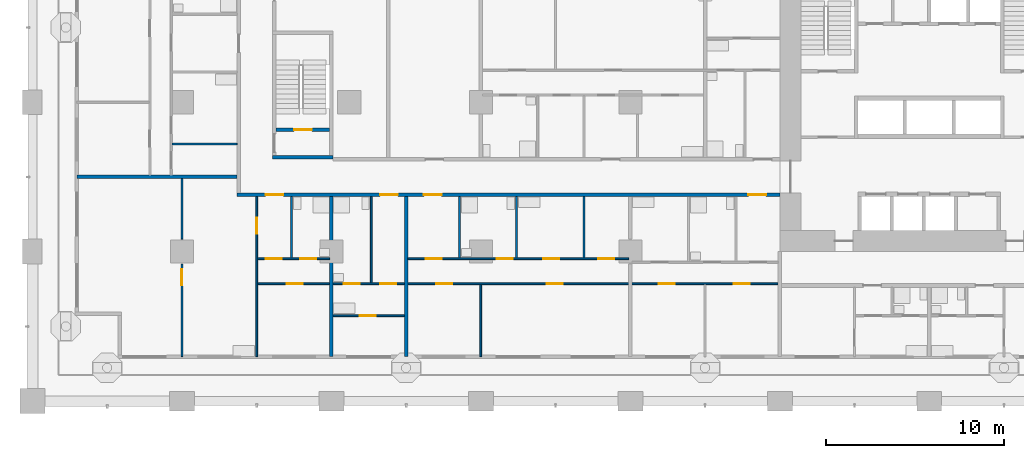
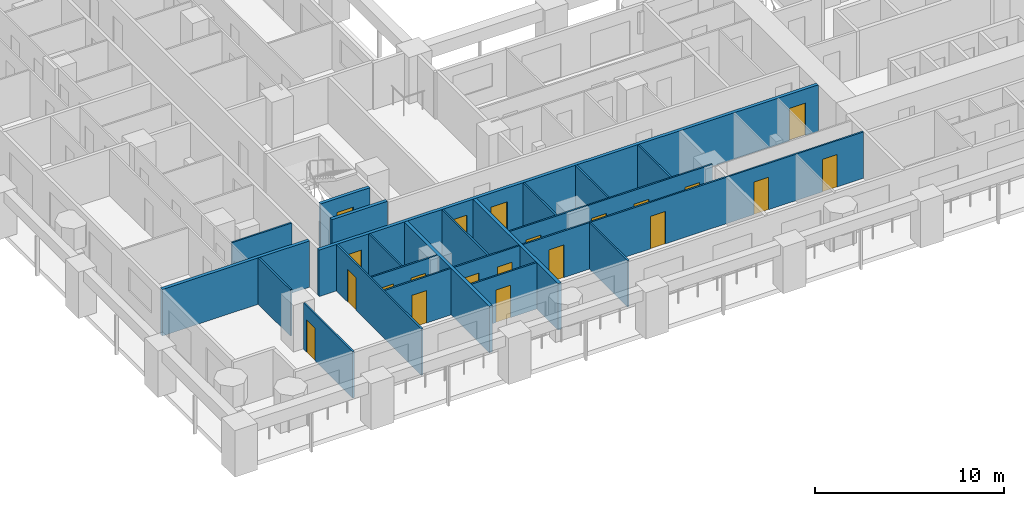
# One storey, part 2 of 21: 21 doors, 20 walls, 21 openings.
"""IFC4 building model written with IfcOpenShell, lengths in metres."""

from ifc_helpers import new_model, si_unit, direction, frame, frame_2d, origin, place, context, subcontext, project, spatial, rectangle, extrude, material, layer, layer_set, type_object, element, fill, save


model = new_model("IFC4")

# Units and contexts
model_context = context("Model", 3, precision=1e-05, world=origin(), true_north=direction((0.0, 1.0)))
body_context = subcontext(model_context, "Body", "Model", "MODEL_VIEW")
ifc_project = project(units=[si_unit("LENGTHUNIT", "METRE"), si_unit("AREAUNIT", "SQUARE_METRE"), si_unit("VOLUMEUNIT", "CUBIC_METRE"), si_unit("PLANEANGLEUNIT", "RADIAN"), si_unit("MASSUNIT", "GRAM", prefix="KILO")], contexts=[model_context])

# Site, building, storey
site_placement = place(None, origin())
site = spatial("IfcSite", under=ifc_project, at=site_placement, CompositionType="ELEMENT")
building_placement = place(site_placement, origin())
building = spatial("IfcBuilding", under=site, at=building_placement, Name="Vermilion Gate Residences", CompositionType="ELEMENT")
storey_placement = place(building_placement, frame((0.0, 0.0, 70.699951171875)))
storey = spatial("IfcBuildingStorey", under=building, at=storey_placement, Name="L17", CompositionType="ELEMENT", Elevation=70.699951171875)

# Wall, opening, door
ifc_material_1 = material(Name="Plasterboard on steel studs", Category="steel")
ifc_layer_1 = layer(ifc_material_1, 0.10009765625)
ifc_layer_set_1 = layer_set([ifc_layer_1], Name="PARTITION 100")
wall_type_1 = type_object("IfcWallType", Name="PARTITION 100", PredefinedType="PARTITIONING", material=ifc_layer_set_1)
wall_1_placement = place(storey_placement, frame((16.89990234375, 4.800048828125, 0.0), z_axis=(0.0, 0.0, 1.0), x_axis=(1.0, 0.0, 0.0)))
wall_1 = element("IfcWall", 1, at=wall_1_placement, inside=storey, type_object=wall_type_1, Name="Partition", PredefinedType="PARTITIONING", context=body_context, shape_type="SweptSolid", body=[
    extrude(rectangle(XDim=4.0, YDim=0.10009765625, at=frame_2d((2.0, 0.0))), origin(), (0.0, 0.0, 1.0), 3.0),
])
opening_1_placement = place(wall_1_placement, frame((1.5, 0.0, 0.0)))
opening_1 = element("IfcOpeningElement", 2, at=opening_1_placement, cuts=wall_1, Name="Opening DA16001", PredefinedType="OPENING", context=body_context, shape_type="SweptSolid", body=[
    extrude(rectangle(XDim=0.89990234375, YDim=2.10009765625, at=frame_2d((0.449951171875, 1.050048828125))), frame((0.0, 0.06005859375, 0.0), z_axis=(0.0, -1.0, 0.0), x_axis=(1.0, 0.0, 0.0)), (0.0, 0.0, 1.0), 0.1201171875),
])
ifc_material_2 = material(Name="Timber", Category="wood")
door_type_1 = type_object("IfcDoorType", Name="INTERIOR DOOR 900 X 2100", OperationType="SINGLE_SWING_LEFT", PredefinedType="DOOR", material=ifc_material_2)
door_1_placement = place(opening_1_placement, origin())
door_1 = element("IfcDoor", 3, at=door_1_placement, inside=storey, type_object=door_type_1, Name="Interior door", OperationType="SINGLE_SWING_LEFT", OverallHeight=2.10009765625, OverallWidth=0.89990234375, PredefinedType="DOOR", context=body_context, shape_type="SweptSolid", body=[
    extrude(rectangle(XDim=0.89990234375, YDim=2.10009765625, at=frame_2d((0.449951171875, 1.050048828125))), frame((0.0, 0.02490234375, 0.0), z_axis=(0.0, -1.0, 0.0), x_axis=(1.0, 0.0, 0.0)), (0.0, 0.0, 1.0), 0.050048828125),
])
fill(opening_1, door_1)

# Wall, openings, doors
wall_2_placement = place(storey_placement, frame((12.64990234375, 6.60009765625, 0.0), z_axis=(0.0, 0.0, 1.0), x_axis=(1.0, 0.0, 0.0)))
wall_2 = element("IfcWall", 4, at=wall_2_placement, inside=storey, type_object=wall_type_1, Name="Partition", PredefinedType="PARTITIONING", context=body_context, shape_type="SweptSolid", body=[
    extrude(rectangle(XDim=29.25, YDim=0.10009765625, at=frame_2d((14.625, 0.0))), origin(), (0.0, 0.0, 1.0), 3.0),
])
opening_2_placement = place(wall_2_placement, frame((1.64990234375, 0.0, 0.0)))
opening_2 = element("IfcOpeningElement", 5, at=opening_2_placement, cuts=wall_2, Name="Opening DA16009", PredefinedType="OPENING", context=body_context, shape_type="SweptSolid", body=[
    extrude(rectangle(XDim=0.89990234375, YDim=2.10009765625, at=frame_2d((0.449951171875, 1.050048828125))), frame((0.0, 0.06005859375, 0.0), z_axis=(0.0, -1.0, 0.0), x_axis=(1.0, 0.0, 0.0)), (0.0, 0.0, 1.0), 0.1201171875),
])
opening_3_placement = place(wall_2_placement, frame((6.889892578125, 0.0, 0.0)))
opening_3 = element("IfcOpeningElement", 6, at=opening_3_placement, cuts=wall_2, Name="Opening DA16010", PredefinedType="OPENING", context=body_context, shape_type="SweptSolid", body=[
    extrude(rectangle(XDim=0.89990234375, YDim=2.10009765625, at=frame_2d((0.449951171875, 1.050048828125))), frame((0.0, 0.06005859375, 0.0), z_axis=(0.0, -1.0, 0.0), x_axis=(1.0, 0.0, 0.0)), (0.0, 0.0, 1.0), 0.1201171875),
])
opening_4_placement = place(wall_2_placement, frame((4.85009765625, 0.0, 0.0)))
opening_4 = element("IfcOpeningElement", 7, at=opening_4_placement, cuts=wall_2, Name="Opening DA16011", PredefinedType="OPENING", context=body_context, shape_type="SweptSolid", body=[
    extrude(rectangle(XDim=0.89990234375, YDim=2.10009765625, at=frame_2d((0.449951171875, 1.050048828125))), frame((0.0, 0.06005859375, 0.0), z_axis=(0.0, -1.0, 0.0), x_axis=(1.0, 0.0, 0.0)), (0.0, 0.0, 1.0), 0.1201171875),
])
opening_5_placement = place(wall_2_placement, frame((10.050048828125, 0.0, 0.0)))
opening_5 = element("IfcOpeningElement", 8, at=opening_5_placement, cuts=wall_2, Name="Opening DA16012", PredefinedType="OPENING", context=body_context, shape_type="SweptSolid", body=[
    extrude(rectangle(XDim=0.89990234375, YDim=2.10009765625, at=frame_2d((0.449951171875, 1.050048828125))), frame((0.0, 0.06005859375, 0.0), z_axis=(0.0, -1.0, 0.0), x_axis=(1.0, 0.0, 0.0)), (0.0, 0.0, 1.0), 0.1201171875),
])
opening_6_placement = place(wall_2_placement, frame((16.25, 0.0, 0.0)))
opening_6 = element("IfcOpeningElement", 9, at=opening_6_placement, cuts=wall_2, Name="Opening DA16013", PredefinedType="OPENING", context=body_context, shape_type="SweptSolid", body=[
    extrude(rectangle(XDim=0.89990234375, YDim=2.10009765625, at=frame_2d((0.449951171875, 1.050048828125))), frame((0.0, 0.06005859375, 0.0), z_axis=(0.0, -1.0, 0.0), x_axis=(1.0, 0.0, 0.0)), (0.0, 0.0, 1.0), 0.1201171875),
])
opening_7_placement = place(wall_2_placement, frame((22.550048828125, 0.0, 0.0)))
opening_7 = element("IfcOpeningElement", 10, at=opening_7_placement, cuts=wall_2, Name="Opening DA16014", PredefinedType="OPENING", context=body_context, shape_type="SweptSolid", body=[
    extrude(rectangle(XDim=0.89990234375, YDim=2.10009765625, at=frame_2d((0.449951171875, 1.050048828125))), frame((0.0, 0.06005859375, 0.0), z_axis=(0.0, -1.0, 0.0), x_axis=(1.0, 0.0, 0.0)), (0.0, 0.0, 1.0), 0.1201171875),
])
opening_8_placement = place(wall_2_placement, frame((26.75, 0.0, 0.0)))
opening_8 = element("IfcOpeningElement", 11, at=opening_8_placement, cuts=wall_2, Name="Opening DA16015", PredefinedType="OPENING", context=body_context, shape_type="SweptSolid", body=[
    extrude(rectangle(XDim=0.89990234375, YDim=2.10009765625, at=frame_2d((0.449951171875, 1.050048828125))), frame((0.0, 0.06005859375, 0.0), z_axis=(0.0, -1.0, 0.0), x_axis=(1.0, 0.0, 0.0)), (0.0, 0.0, 1.0), 0.1201171875),
])
door_2_placement = place(opening_2_placement, frame((0.89990234375, 0.0, 0.0), z_axis=(0.0, 0.0, 1.0), x_axis=(-1.0, 0.0, 0.0)))
door_2 = element("IfcDoor", 12, at=door_2_placement, inside=storey, type_object=door_type_1, Name="Interior door", OperationType="SINGLE_SWING_LEFT", OverallHeight=2.10009765625, OverallWidth=0.89990234375, PredefinedType="DOOR", context=body_context, shape_type="SweptSolid", body=[
    extrude(rectangle(XDim=0.89990234375, YDim=2.10009765625, at=frame_2d((0.449951171875, 1.050048828125))), frame((0.0, 0.02490234375, 0.0), z_axis=(0.0, -1.0, 0.0), x_axis=(1.0, 0.0, 0.0)), (0.0, 0.0, 1.0), 0.050048828125),
])
fill(opening_2, door_2)
door_3_placement = place(opening_3_placement, frame((0.89990234375, 0.0, 0.0), z_axis=(0.0, 0.0, 1.0), x_axis=(-1.0, 0.0, 0.0)))
door_3 = element("IfcDoor", 13, at=door_3_placement, inside=storey, type_object=door_type_1, Name="Interior door", OperationType="SINGLE_SWING_LEFT", OverallHeight=2.10009765625, OverallWidth=0.89990234375, PredefinedType="DOOR", context=body_context, shape_type="SweptSolid", body=[
    extrude(rectangle(XDim=0.89990234375, YDim=2.10009765625, at=frame_2d((0.449951171875, 1.050048828125))), frame((0.0, 0.02490234375, 0.0), z_axis=(0.0, -1.0, 0.0), x_axis=(1.0, 0.0, 0.0)), (0.0, 0.0, 1.0), 0.050048828125),
])
fill(opening_3, door_3)
door_4_placement = place(opening_4_placement, frame((0.89990234375, 0.0, 0.0), z_axis=(0.0, 0.0, 1.0), x_axis=(-1.0, 0.0, 0.0)))
door_4 = element("IfcDoor", 14, at=door_4_placement, inside=storey, type_object=door_type_1, Name="Interior door", OperationType="SINGLE_SWING_RIGHT", OverallHeight=2.10009765625, OverallWidth=0.89990234375, PredefinedType="DOOR", context=body_context, shape_type="SweptSolid", body=[
    extrude(rectangle(XDim=0.89990234375, YDim=2.10009765625, at=frame_2d((0.449951171875, 1.050048828125))), frame((0.0, 0.02490234375, 0.0), z_axis=(0.0, -1.0, 0.0), x_axis=(1.0, 0.0, 0.0)), (0.0, 0.0, 1.0), 0.050048828125),
])
fill(opening_4, door_4)
door_5_placement = place(opening_5_placement, frame((0.89990234375, 0.0, 0.0), z_axis=(0.0, 0.0, 1.0), x_axis=(-1.0, 0.0, 0.0)))
door_5 = element("IfcDoor", 15, at=door_5_placement, inside=storey, type_object=door_type_1, Name="Interior door", OperationType="SINGLE_SWING_LEFT", OverallHeight=2.10009765625, OverallWidth=0.89990234375, PredefinedType="DOOR", context=body_context, shape_type="SweptSolid", body=[
    extrude(rectangle(XDim=0.89990234375, YDim=2.10009765625, at=frame_2d((0.449951171875, 1.050048828125))), frame((0.0, 0.02490234375, 0.0), z_axis=(0.0, -1.0, 0.0), x_axis=(1.0, 0.0, 0.0)), (0.0, 0.0, 1.0), 0.050048828125),
])
fill(opening_5, door_5)
door_6_placement = place(opening_6_placement, frame((0.89990234375, 0.0, 0.0), z_axis=(0.0, 0.0, 1.0), x_axis=(-1.0, 0.0, 0.0)))
door_6 = element("IfcDoor", 16, at=door_6_placement, inside=storey, type_object=door_type_1, Name="Interior door", OperationType="SINGLE_SWING_RIGHT", OverallHeight=2.10009765625, OverallWidth=0.89990234375, PredefinedType="DOOR", context=body_context, shape_type="SweptSolid", body=[
    extrude(rectangle(XDim=0.89990234375, YDim=2.10009765625, at=frame_2d((0.449951171875, 1.050048828125))), frame((0.0, 0.02490234375, 0.0), z_axis=(0.0, -1.0, 0.0), x_axis=(1.0, 0.0, 0.0)), (0.0, 0.0, 1.0), 0.050048828125),
])
fill(opening_6, door_6)
door_7_placement = place(opening_7_placement, frame((0.89990234375, 0.0, 0.0), z_axis=(0.0, 0.0, 1.0), x_axis=(-1.0, 0.0, 0.0)))
door_7 = element("IfcDoor", 17, at=door_7_placement, inside=storey, type_object=door_type_1, Name="Interior door", OperationType="SINGLE_SWING_RIGHT", OverallHeight=2.10009765625, OverallWidth=0.89990234375, PredefinedType="DOOR", context=body_context, shape_type="SweptSolid", body=[
    extrude(rectangle(XDim=0.89990234375, YDim=2.10009765625, at=frame_2d((0.449951171875, 1.050048828125))), frame((0.0, 0.02490234375, 0.0), z_axis=(0.0, -1.0, 0.0), x_axis=(1.0, 0.0, 0.0)), (0.0, 0.0, 1.0), 0.050048828125),
])
fill(opening_7, door_7)
door_8_placement = place(opening_8_placement, frame((0.89990234375, 0.0, 0.0), z_axis=(0.0, 0.0, 1.0), x_axis=(-1.0, 0.0, 0.0)))
door_8 = element("IfcDoor", 18, at=door_8_placement, inside=storey, type_object=door_type_1, Name="Interior door", OperationType="SINGLE_SWING_RIGHT", OverallHeight=2.10009765625, OverallWidth=0.89990234375, PredefinedType="DOOR", context=body_context, shape_type="SweptSolid", body=[
    extrude(rectangle(XDim=0.89990234375, YDim=2.10009765625, at=frame_2d((0.449951171875, 1.050048828125))), frame((0.0, 0.02490234375, 0.0), z_axis=(0.0, -1.0, 0.0), x_axis=(1.0, 0.0, 0.0)), (0.0, 0.0, 1.0), 0.050048828125),
])
fill(opening_8, door_8)

wall_3_placement = place(storey_placement, frame((12.64990234375, 8.0, 0.0), z_axis=(0.0, 0.0, 1.0), x_axis=(1.0, 0.0, 0.0)))
wall_3 = element("IfcWall", 19, at=wall_3_placement, inside=storey, type_object=wall_type_1, Name="Partition", PredefinedType="PARTITIONING", context=body_context, shape_type="SweptSolid", body=[
    extrude(rectangle(XDim=4.050048828125, YDim=0.10009765625, at=frame_2d((2.02490234375, 0.0))), origin(), (0.0, 0.0, 1.0), 3.0),
])
opening_9_placement = place(wall_3_placement, frame((0.449951171875, 0.0, 0.0)))
opening_9 = element("IfcOpeningElement", 20, at=opening_9_placement, cuts=wall_3, Name="Opening DA16019", PredefinedType="OPENING", context=body_context, shape_type="SweptSolid", body=[
    extrude(rectangle(XDim=0.89990234375, YDim=2.10009765625, at=frame_2d((0.449951171875, 1.050048828125))), frame((0.0, 0.06005859375, 0.0), z_axis=(0.0, -1.0, 0.0), x_axis=(1.0, 0.0, 0.0)), (0.0, 0.0, 1.0), 0.1201171875),
])
opening_10_placement = place(wall_3_placement, frame((2.409912109375, 0.0, 0.0)))
opening_10 = element("IfcOpeningElement", 21, at=opening_10_placement, cuts=wall_3, Name="Opening DA16020", PredefinedType="OPENING", context=body_context, shape_type="SweptSolid", body=[
    extrude(rectangle(XDim=0.89990234375, YDim=2.10009765625, at=frame_2d((0.449951171875, 1.050048828125))), frame((0.0, 0.06005859375, 0.0), z_axis=(0.0, -1.0, 0.0), x_axis=(1.0, 0.0, 0.0)), (0.0, 0.0, 1.0), 0.1201171875),
])
door_9_placement = place(opening_9_placement, frame((0.89990234375, 0.0, 0.0), z_axis=(0.0, 0.0, 1.0), x_axis=(-1.0, 0.0, 0.0)))
door_9 = element("IfcDoor", 22, at=door_9_placement, inside=storey, type_object=door_type_1, Name="Interior door", OperationType="SINGLE_SWING_RIGHT", OverallHeight=2.10009765625, OverallWidth=0.89990234375, PredefinedType="DOOR", context=body_context, shape_type="SweptSolid", body=[
    extrude(rectangle(XDim=0.89990234375, YDim=2.10009765625, at=frame_2d((0.449951171875, 1.050048828125))), frame((0.0, 0.02490234375, 0.0), z_axis=(0.0, -1.0, 0.0), x_axis=(1.0, 0.0, 0.0)), (0.0, 0.0, 1.0), 0.050048828125),
])
fill(opening_9, door_9)
door_10_placement = place(opening_10_placement, origin())
door_10 = element("IfcDoor", 23, at=door_10_placement, inside=storey, type_object=door_type_1, Name="Interior door", OperationType="SINGLE_SWING_RIGHT", OverallHeight=2.10009765625, OverallWidth=0.89990234375, PredefinedType="DOOR", context=body_context, shape_type="SweptSolid", body=[
    extrude(rectangle(XDim=0.89990234375, YDim=2.10009765625, at=frame_2d((0.449951171875, 1.050048828125))), frame((0.0, 0.02490234375, 0.0), z_axis=(0.0, -1.0, 0.0), x_axis=(1.0, 0.0, 0.0)), (0.0, 0.0, 1.0), 0.050048828125),
])
fill(opening_10, door_10)

wall_4_placement = place(storey_placement, frame((21.10009765625, 8.0, 0.0), z_axis=(0.0, 0.0, 1.0), x_axis=(1.0, 0.0, 0.0)))
wall_4 = element("IfcWall", 24, at=wall_4_placement, inside=storey, type_object=wall_type_1, Name="Partition", PredefinedType="PARTITIONING", context=body_context, shape_type="SweptSolid", body=[
    extrude(rectangle(XDim=12.39990234375, YDim=0.10009765625, at=frame_2d((6.199951171875, 0.0))), origin(), (0.0, 0.0, 1.0), 3.0),
])
opening_11_placement = place(wall_4_placement, frame((1.0, 0.0, 0.0)))
opening_11 = element("IfcOpeningElement", 25, at=opening_11_placement, cuts=wall_4, Name="Opening DA16021", PredefinedType="OPENING", context=body_context, shape_type="SweptSolid", body=[
    extrude(rectangle(XDim=0.89990234375, YDim=2.10009765625, at=frame_2d((0.449951171875, 1.050048828125))), frame((0.0, 0.06005859375, 0.0), z_axis=(0.0, -1.0, 0.0), x_axis=(1.0, 0.0, 0.0)), (0.0, 0.0, 1.0), 0.1201171875),
])
opening_12_placement = place(wall_4_placement, frame((5.0, 0.0, 0.0)))
opening_12 = element("IfcOpeningElement", 26, at=opening_12_placement, cuts=wall_4, Name="Opening DA16022", PredefinedType="OPENING", context=body_context, shape_type="SweptSolid", body=[
    extrude(rectangle(XDim=0.89990234375, YDim=2.10009765625, at=frame_2d((0.449951171875, 1.050048828125))), frame((0.0, 0.06005859375, 0.0), z_axis=(0.0, -1.0, 0.0), x_axis=(1.0, 0.0, 0.0)), (0.0, 0.0, 1.0), 0.1201171875),
])
opening_13_placement = place(wall_4_placement, frame((7.60009765625, 0.0, 0.0)))
opening_13 = element("IfcOpeningElement", 27, at=opening_13_placement, cuts=wall_4, Name="Opening DA16023", PredefinedType="OPENING", context=body_context, shape_type="SweptSolid", body=[
    extrude(rectangle(XDim=0.89990234375, YDim=2.10009765625, at=frame_2d((0.449951171875, 1.050048828125))), frame((0.0, 0.06005859375, 0.0), z_axis=(0.0, -1.0, 0.0), x_axis=(1.0, 0.0, 0.0)), (0.0, 0.0, 1.0), 0.1201171875),
])
opening_14_placement = place(wall_4_placement, frame((10.699951171875, 0.0, 0.0)))
opening_14 = element("IfcOpeningElement", 28, at=opening_14_placement, cuts=wall_4, Name="Opening DA16024", PredefinedType="OPENING", context=body_context, shape_type="SweptSolid", body=[
    extrude(rectangle(XDim=0.89990234375, YDim=2.10009765625, at=frame_2d((0.449951171875, 1.050048828125))), frame((0.0, 0.06005859375, 0.0), z_axis=(0.0, -1.0, 0.0), x_axis=(1.0, 0.0, 0.0)), (0.0, 0.0, 1.0), 0.1201171875),
])
door_11_placement = place(opening_11_placement, origin())
door_11 = element("IfcDoor", 29, at=door_11_placement, inside=storey, type_object=door_type_1, Name="Interior door", OperationType="SINGLE_SWING_RIGHT", OverallHeight=2.10009765625, OverallWidth=0.89990234375, PredefinedType="DOOR", context=body_context, shape_type="SweptSolid", body=[
    extrude(rectangle(XDim=0.89990234375, YDim=2.10009765625, at=frame_2d((0.449951171875, 1.050048828125))), frame((0.0, 0.02490234375, 0.0), z_axis=(0.0, -1.0, 0.0), x_axis=(1.0, 0.0, 0.0)), (0.0, 0.0, 1.0), 0.050048828125),
])
fill(opening_11, door_11)
door_12_placement = place(opening_12_placement, origin())
door_12 = element("IfcDoor", 30, at=door_12_placement, inside=storey, type_object=door_type_1, Name="Interior door", OperationType="SINGLE_SWING_RIGHT", OverallHeight=2.10009765625, OverallWidth=0.89990234375, PredefinedType="DOOR", context=body_context, shape_type="SweptSolid", body=[
    extrude(rectangle(XDim=0.89990234375, YDim=2.10009765625, at=frame_2d((0.449951171875, 1.050048828125))), frame((0.0, 0.02490234375, 0.0), z_axis=(0.0, -1.0, 0.0), x_axis=(1.0, 0.0, 0.0)), (0.0, 0.0, 1.0), 0.050048828125),
])
fill(opening_12, door_12)
door_13_placement = place(opening_13_placement, origin())
door_13 = element("IfcDoor", 31, at=door_13_placement, inside=storey, type_object=door_type_1, Name="Interior door", OperationType="SINGLE_SWING_RIGHT", OverallHeight=2.10009765625, OverallWidth=0.89990234375, PredefinedType="DOOR", context=body_context, shape_type="SweptSolid", body=[
    extrude(rectangle(XDim=0.89990234375, YDim=2.10009765625, at=frame_2d((0.449951171875, 1.050048828125))), frame((0.0, 0.02490234375, 0.0), z_axis=(0.0, -1.0, 0.0), x_axis=(1.0, 0.0, 0.0)), (0.0, 0.0, 1.0), 0.050048828125),
])
fill(opening_13, door_13)
door_14_placement = place(opening_14_placement, origin())
door_14 = element("IfcDoor", 32, at=door_14_placement, inside=storey, type_object=door_type_1, Name="Interior door", OperationType="SINGLE_SWING_RIGHT", OverallHeight=2.10009765625, OverallWidth=0.89990234375, PredefinedType="DOOR", context=body_context, shape_type="SweptSolid", body=[
    extrude(rectangle(XDim=0.89990234375, YDim=2.10009765625, at=frame_2d((0.449951171875, 1.050048828125))), frame((0.0, 0.02490234375, 0.0), z_axis=(0.0, -1.0, 0.0), x_axis=(1.0, 0.0, 0.0)), (0.0, 0.0, 1.0), 0.050048828125),
])
fill(opening_14, door_14)

# Wall
wall_5_placement = place(storey_placement, frame((7.85009765625, 14.449951171875, 0.0), z_axis=(0.0, 0.0, 1.0), x_axis=(1.0, 0.0, 0.0)))
element("IfcWall", 33, at=wall_5_placement, inside=storey, type_object=wall_type_1, Name="Partition", PredefinedType="PARTITIONING", context=body_context, shape_type="SweptSolid", body=[
    extrude(rectangle(XDim=3.64990234375, YDim=0.10009765625, at=frame_2d((1.824951171875, 0.0))), origin(), (0.0, 0.0, 1.0), 3.0),
])

# Wall, opening, door
wall_6_placement = place(storey_placement, frame((8.39990234375, 2.5, 0.0), z_axis=(0.0, 0.0, 1.0), x_axis=(0.0, 1.0, 0.0)))
wall_6 = element("IfcWall", 34, at=wall_6_placement, inside=storey, type_object=wall_type_1, Name="Partition", PredefinedType="PARTITIONING", context=body_context, shape_type="SweptSolid", body=[
    extrude(rectangle(XDim=5.199951171875, YDim=0.10009765625, at=frame_2d((2.60009765625, 0.0))), origin(), (0.0, 0.0, 1.0), 3.0),
])
opening_15_placement = place(wall_6_placement, frame((4.0, 0.0, 0.0)))
opening_15 = element("IfcOpeningElement", 35, at=opening_15_placement, cuts=wall_6, Name="Opening DA16064", PredefinedType="OPENING", context=body_context, shape_type="SweptSolid", body=[
    extrude(rectangle(XDim=0.89990234375, YDim=2.10009765625, at=frame_2d((0.449951171875, 1.050048828125))), frame((0.0, 0.06005859375, 0.0), z_axis=(0.0, -1.0, 0.0), x_axis=(1.0, 0.0, 0.0)), (0.0, 0.0, 1.0), 0.1201171875),
])
door_15_placement = place(opening_15_placement, frame((0.89990234375, 0.0, 0.0), z_axis=(0.0, 0.0, 1.0), x_axis=(-1.0, 0.0, 0.0)))
door_15 = element("IfcDoor", 36, at=door_15_placement, inside=storey, type_object=door_type_1, Name="Interior door", OperationType="SINGLE_SWING_LEFT", OverallHeight=2.10009765625, OverallWidth=0.89990234375, PredefinedType="DOOR", context=body_context, shape_type="SweptSolid", body=[
    extrude(rectangle(XDim=0.89990234375, YDim=2.10009765625, at=frame_2d((0.449951171875, 1.050048828125))), frame((0.0, 0.02490234375, 0.0), z_axis=(0.0, -1.0, 0.0), x_axis=(1.0, 0.0, 0.0)), (0.0, 0.0, 1.0), 0.050048828125),
])
fill(opening_15, door_15)

# Wall
wall_7_placement = place(storey_placement, frame((8.39990234375, 9.10009765625, 0.0), z_axis=(0.0, 0.0, 1.0), x_axis=(0.0, 1.0, 0.0)))
element("IfcWall", 37, at=wall_7_placement, inside=storey, type_object=wall_type_1, Name="Partition", PredefinedType="PARTITIONING", context=body_context, shape_type="SweptSolid", body=[
    extrude(rectangle(XDim=3.39990234375, YDim=0.10009765625, at=frame_2d((1.699951171875, 0.0))), origin(), (0.0, 0.0, 1.0), 3.0),
])

# Wall, opening, door
wall_8_placement = place(storey_placement, frame((12.60009765625, 2.5, 0.0), z_axis=(0.0, 0.0, 1.0), x_axis=(0.0, 1.0, 0.0)))
wall_8 = element("IfcWall", 38, at=wall_8_placement, inside=storey, type_object=wall_type_1, Name="Partition", PredefinedType="PARTITIONING", context=body_context, shape_type="SweptSolid", body=[
    extrude(rectangle(XDim=9.0, YDim=0.10009765625, at=frame_2d((4.5, 0.0))), origin(), (0.0, 0.0, 1.0), 3.0),
])
opening_16_placement = place(wall_8_placement, frame((6.89990234375, 0.0, 0.0)))
opening_16 = element("IfcOpeningElement", 39, at=opening_16_placement, cuts=wall_8, Name="Opening DA16068", PredefinedType="OPENING", context=body_context, shape_type="SweptSolid", body=[
    extrude(rectangle(XDim=0.89990234375, YDim=2.10009765625, at=frame_2d((0.449951171875, 1.050048828125))), frame((0.0, 0.06005859375, 0.0), z_axis=(0.0, -1.0, 0.0), x_axis=(1.0, 0.0, 0.0)), (0.0, 0.0, 1.0), 0.1201171875),
])
door_16_placement = place(opening_16_placement, origin())
door_16 = element("IfcDoor", 40, at=door_16_placement, inside=storey, type_object=door_type_1, Name="Interior door", OperationType="SINGLE_SWING_RIGHT", OverallHeight=2.10009765625, OverallWidth=0.89990234375, PredefinedType="DOOR", context=body_context, shape_type="SweptSolid", body=[
    extrude(rectangle(XDim=0.89990234375, YDim=2.10009765625, at=frame_2d((0.449951171875, 1.050048828125))), frame((0.0, 0.02490234375, 0.0), z_axis=(0.0, -1.0, 0.0), x_axis=(1.0, 0.0, 0.0)), (0.0, 0.0, 1.0), 0.050048828125),
])
fill(opening_16, door_16)

# Walls
wall_9_placement = place(storey_placement, frame((14.56005859375, 8.050048828125, 0.0), z_axis=(0.0, 0.0, 1.0), x_axis=(0.0, 1.0, 0.0)))
element("IfcWall", 41, at=wall_9_placement, inside=storey, type_object=wall_type_1, Name="Partition", PredefinedType="PARTITIONING", context=body_context, shape_type="SweptSolid", body=[
    extrude(rectangle(XDim=3.449951171875, YDim=0.10009765625, at=frame_2d((1.72509765625, 0.0))), origin(), (0.0, 0.0, 1.0), 3.0),
])
wall_10_placement = place(storey_placement, frame((19.0400390625, 6.64990234375, 0.0), z_axis=(0.0, 0.0, 1.0), x_axis=(0.0, 1.0, 0.0)))
element("IfcWall", 42, at=wall_10_placement, inside=storey, type_object=wall_type_1, Name="Partition", PredefinedType="PARTITIONING", context=body_context, shape_type="SweptSolid", body=[
    extrude(rectangle(XDim=4.85009765625, YDim=0.10009765625, at=frame_2d((2.425048828125, 0.0))), origin(), (0.0, 0.0, 1.0), 3.0),
])
wall_11_placement = place(storey_placement, frame((24.0, 8.050048828125, 0.0), z_axis=(0.0, 0.0, 1.0), x_axis=(0.0, 1.0, 0.0)))
element("IfcWall", 43, at=wall_11_placement, inside=storey, type_object=wall_type_1, Name="Partition", PredefinedType="PARTITIONING", context=body_context, shape_type="SweptSolid", body=[
    extrude(rectangle(XDim=3.449951171875, YDim=0.10009765625, at=frame_2d((1.72509765625, 0.0))), origin(), (0.0, 0.0, 1.0), 3.0),
])
wall_12_placement = place(storey_placement, frame((25.199951171875, 2.5, 0.0), z_axis=(0.0, 0.0, 1.0), x_axis=(0.0, 1.0, 0.0)))
element("IfcWall", 44, at=wall_12_placement, inside=storey, type_object=wall_type_1, Name="Partition", PredefinedType="PARTITIONING", context=body_context, shape_type="SweptSolid", body=[
    extrude(rectangle(XDim=4.050048828125, YDim=0.10009765625, at=frame_2d((2.02490234375, 0.0))), origin(), (0.0, 0.0, 1.0), 3.0),
])
for number, where, z_axis, x_axis, name in (
    (45, (27.199951171875, 8.050048828125, 0.0), (0.0, 0.0, 1.0), (0.0, 1.0, 0.0), "Partition"),
    (46, (31.0, 8.050048828125, 0.0), (0.0, 0.0, 1.0), (0.0, 1.0, 0.0), "Partition"),
):
    element("IfcWall", number, at=place(storey_placement, frame(where, z_axis=z_axis, x_axis=x_axis)), inside=storey, type_object=wall_type_1, Name=name, PredefinedType="PARTITIONING", context=body_context, shape_type="SweptSolid", body=[
        extrude(rectangle(XDim=3.449951171875, YDim=0.10009765625, at=frame_2d((1.72509765625, 0.0))), origin(), (0.0, 0.0, 1.0), 3.0),
    ])

# Wall, openings, doors
ifc_material_3 = material(Name="Fire-rated plasterboard on steel studs", Category="steel")
ifc_layer_2 = layer(ifc_material_3, 0.199951171875)
ifc_layer_set_2 = layer_set([ifc_layer_2], Name="PARTY WALL 200 EI 120")
wall_type_2 = type_object("IfcWallType", Name="PARTY WALL 200 EI 120", PredefinedType="PARTITIONING", material=ifc_layer_set_2)
wall_13_placement = place(storey_placement, frame((11.5, 11.60009765625, 0.0), z_axis=(0.0, 0.0, 1.0), x_axis=(1.0, 0.0, 0.0)))
wall_13 = element("IfcWall", 47, at=wall_13_placement, inside=storey, type_object=wall_type_2, Name="Party and corridor wall", PredefinedType="PARTITIONING", context=body_context, shape_type="SweptSolid", body=[
    extrude(rectangle(XDim=30.5, YDim=0.199951171875, at=frame_2d((15.25, 0.0))), origin(), (0.0, 0.0, 1.0), 3.0),
])
opening_17_placement = place(wall_13_placement, frame((1.60009765625, 0.0, 0.0)))
opening_17 = element("IfcOpeningElement", 48, at=opening_17_placement, cuts=wall_13, Name="Opening DA16025", PredefinedType="OPENING", context=body_context, shape_type="SweptSolid", body=[
    extrude(rectangle(XDim=1.0, YDim=2.10009765625, at=frame_2d((0.5, 1.050048828125))), frame((0.0, 0.10986328125, 0.0), z_axis=(0.0, -1.0, 0.0), x_axis=(1.0, 0.0, 0.0)), (0.0, 0.0, 1.0), 0.219970703125),
])
opening_18_placement = place(wall_13_placement, frame((8.0400390625, 0.0, 0.0)))
opening_18 = element("IfcOpeningElement", 49, at=opening_18_placement, cuts=wall_13, Name="Opening DA16026", PredefinedType="OPENING", context=body_context, shape_type="SweptSolid", body=[
    extrude(rectangle(XDim=1.0, YDim=2.10009765625, at=frame_2d((0.5, 1.050048828125))), frame((0.0, 0.10986328125, 0.0), z_axis=(0.0, -1.0, 0.0), x_axis=(1.0, 0.0, 0.0)), (0.0, 0.0, 1.0), 0.219970703125),
])
opening_19_placement = place(wall_13_placement, frame((10.5, 0.0, 0.0)))
opening_19 = element("IfcOpeningElement", 50, at=opening_19_placement, cuts=wall_13, Name="Opening DA16027", PredefinedType="OPENING", context=body_context, shape_type="SweptSolid", body=[
    extrude(rectangle(XDim=1.0, YDim=2.10009765625, at=frame_2d((0.5, 1.050048828125))), frame((0.0, 0.10986328125, 0.0), z_axis=(0.0, -1.0, 0.0), x_axis=(1.0, 0.0, 0.0)), (0.0, 0.0, 1.0), 0.219970703125),
])
opening_20_placement = place(wall_13_placement, frame((28.73291015625, 0.0, 0.0)))
opening_20 = element("IfcOpeningElement", 51, at=opening_20_placement, cuts=wall_13, Name="Opening DA16028", PredefinedType="OPENING", context=body_context, shape_type="SweptSolid", body=[
    extrude(rectangle(XDim=1.0, YDim=2.10009765625, at=frame_2d((0.5, 1.050048828125))), frame((0.0, 0.10986328125, 0.0), z_axis=(0.0, -1.0, 0.0), x_axis=(1.0, 0.0, 0.0)), (0.0, 0.0, 1.0), 0.219970703125),
])
ifc_material_4 = material(Name="Steel", Category="steel")
door_type_2 = type_object("IfcDoorType", Name="ENTRANCE DOOR 1000 X 2100 FD30", OperationType="SINGLE_SWING_LEFT", PredefinedType="DOOR", material=ifc_material_4)
door_17_placement = place(opening_17_placement, frame((1.0, 0.0, 0.0), z_axis=(0.0, 0.0, 1.0), x_axis=(-1.0, 0.0, 0.0)))
door_17 = element("IfcDoor", 52, at=door_17_placement, inside=storey, type_object=door_type_2, Name="Entrance door", OperationType="SINGLE_SWING_LEFT", OverallHeight=2.10009765625, OverallWidth=1.0, PredefinedType="DOOR", context=body_context, shape_type="SweptSolid", body=[
    extrude(rectangle(XDim=1.0, YDim=2.10009765625, at=frame_2d((0.5, 1.050048828125))), frame((0.0, 0.02490234375, 0.0), z_axis=(0.0, -1.0, 0.0), x_axis=(1.0, 0.0, 0.0)), (0.0, 0.0, 1.0), 0.050048828125),
])
fill(opening_17, door_17)
door_18_placement = place(opening_18_placement, frame((1.0, 0.0, 0.0), z_axis=(0.0, 0.0, 1.0), x_axis=(-1.0, 0.0, 0.0)))
door_18 = element("IfcDoor", 53, at=door_18_placement, inside=storey, type_object=door_type_2, Name="Entrance door", OperationType="SINGLE_SWING_LEFT", OverallHeight=2.10009765625, OverallWidth=1.0, PredefinedType="DOOR", context=body_context, shape_type="SweptSolid", body=[
    extrude(rectangle(XDim=1.0, YDim=2.10009765625, at=frame_2d((0.5, 1.050048828125))), frame((0.0, 0.02490234375, 0.0), z_axis=(0.0, -1.0, 0.0), x_axis=(1.0, 0.0, 0.0)), (0.0, 0.0, 1.0), 0.050048828125),
])
fill(opening_18, door_18)
door_19_placement = place(opening_19_placement, frame((1.0, 0.0, 0.0), z_axis=(0.0, 0.0, 1.0), x_axis=(-1.0, 0.0, 0.0)))
door_19 = element("IfcDoor", 54, at=door_19_placement, inside=storey, type_object=door_type_2, Name="Entrance door", OperationType="SINGLE_SWING_RIGHT", OverallHeight=2.10009765625, OverallWidth=1.0, PredefinedType="DOOR", context=body_context, shape_type="SweptSolid", body=[
    extrude(rectangle(XDim=1.0, YDim=2.10009765625, at=frame_2d((0.5, 1.050048828125))), frame((0.0, 0.02490234375, 0.0), z_axis=(0.0, -1.0, 0.0), x_axis=(1.0, 0.0, 0.0)), (0.0, 0.0, 1.0), 0.050048828125),
])
fill(opening_19, door_19)
door_20_placement = place(opening_20_placement, frame((1.0, 0.0, 0.0), z_axis=(0.0, 0.0, 1.0), x_axis=(-1.0, 0.0, 0.0)))
door_20 = element("IfcDoor", 55, at=door_20_placement, inside=storey, type_object=door_type_2, Name="Entrance door", OperationType="SINGLE_SWING_RIGHT", OverallHeight=2.10009765625, OverallWidth=1.0, PredefinedType="DOOR", context=body_context, shape_type="SweptSolid", body=[
    extrude(rectangle(XDim=1.0, YDim=2.10009765625, at=frame_2d((0.5, 1.050048828125))), frame((0.0, 0.02490234375, 0.0), z_axis=(0.0, -1.0, 0.0), x_axis=(1.0, 0.0, 0.0)), (0.0, 0.0, 1.0), 0.050048828125),
])
fill(opening_20, door_20)

# Walls
for number, where, z_axis, x_axis, name in (
    (56, (2.5, 12.60009765625, 0.0), (0.0, 0.0, 1.0), (1.0, 0.0, 0.0), "Party and corridor wall"),
    (57, (16.800048828125, 2.5, 0.0), (0.0, 0.0, 1.0), (0.0, 1.0, 0.0), "Party and corridor wall"),
    (58, (21.0, 2.5, 0.0), (0.0, 0.0, 1.0), (0.0, 1.0, 0.0), "Party and corridor wall"),
):
    element("IfcWall", number, at=place(storey_placement, frame(where, z_axis=z_axis, x_axis=x_axis)), inside=storey, type_object=wall_type_2, Name=name, PredefinedType="PARTITIONING", context=body_context, shape_type="SweptSolid", body=[
        extrude(rectangle(XDim=9.0, YDim=0.199951171875, at=frame_2d((4.5, 0.0))), origin(), (0.0, 0.0, 1.0), 3.0),
    ])
ifc_material_5 = material(Name="Concrete C60", Category="concrete")
ifc_layer_3 = layer(ifc_material_5, 0.199951171875)
ifc_layer_set_3 = layer_set([ifc_layer_3], Name="RC CORE INTERNAL WALL 200 C60")
wall_type_3 = type_object("IfcWallType", Name="RC CORE INTERNAL WALL 200 C60", PredefinedType="SHEAR", material=ifc_layer_set_3)
wall_14_placement = place(storey_placement, frame((13.5, 13.699951171875, 0.0), z_axis=(0.0, 0.0, 1.0), x_axis=(1.0, 0.0, 0.0)))
element("IfcWall", 59, at=wall_14_placement, inside=storey, type_object=wall_type_3, Name="Core internal wall C17-S", PredefinedType="SHEAR", context=body_context, shape_type="SweptSolid", body=[
    extrude(rectangle(XDim=3.39990234375, YDim=0.199951171875, at=frame_2d((1.699951171875, 0.0))), origin(), (0.0, 0.0, 1.0), 3.0),
])

# Wall, opening, door
wall_15_placement = place(storey_placement, frame((13.699951171875, 15.25, 0.0), z_axis=(0.0, 0.0, 1.0), x_axis=(1.0, 0.0, 0.0)))
wall_15 = element("IfcWall", 60, at=wall_15_placement, inside=storey, type_object=wall_type_3, Name="Core internal wall C17-P", PredefinedType="SHEAR", context=body_context, shape_type="SweptSolid", body=[
    extrude(rectangle(XDim=3.0, YDim=0.199951171875, at=frame_2d((1.5, 0.0))), origin(), (0.0, 0.0, 1.0), 3.0),
])
opening_21_placement = place(wall_15_placement, frame((1.0, 0.0, 0.0)))
opening_21 = element("IfcOpeningElement", 61, at=opening_21_placement, cuts=wall_15, Name="Opening DK17202", PredefinedType="OPENING", context=body_context, shape_type="SweptSolid", body=[
    extrude(rectangle(XDim=1.0, YDim=2.10009765625, at=frame_2d((0.5, 1.050048828125))), frame((0.0, 0.10986328125, 0.0), z_axis=(0.0, -1.0, 0.0), x_axis=(1.0, 0.0, 0.0)), (0.0, 0.0, 1.0), 0.219970703125),
])
ifc_material_6 = material(Name="Steel", Category="steel")
door_type_3 = type_object("IfcDoorType", Name="FIRE DOOR FD60 1000 X 2100", OperationType="SINGLE_SWING_LEFT", PredefinedType="DOOR", material=ifc_material_6)
door_21_placement = place(opening_21_placement, origin())
door_21 = element("IfcDoor", 62, at=door_21_placement, inside=storey, type_object=door_type_3, Name="Stair door C17", OperationType="SINGLE_SWING_LEFT", OverallHeight=2.10009765625, OverallWidth=1.0, PredefinedType="DOOR", context=body_context, shape_type="SweptSolid", body=[
    extrude(rectangle(XDim=1.0, YDim=2.10009765625, at=frame_2d((0.5, 1.050048828125))), frame((0.0, 0.02490234375, 0.0), z_axis=(0.0, -1.0, 0.0), x_axis=(1.0, 0.0, 0.0)), (0.0, 0.0, 1.0), 0.050048828125),
])
fill(opening_21, door_21)

save(model, "model.ifc")
